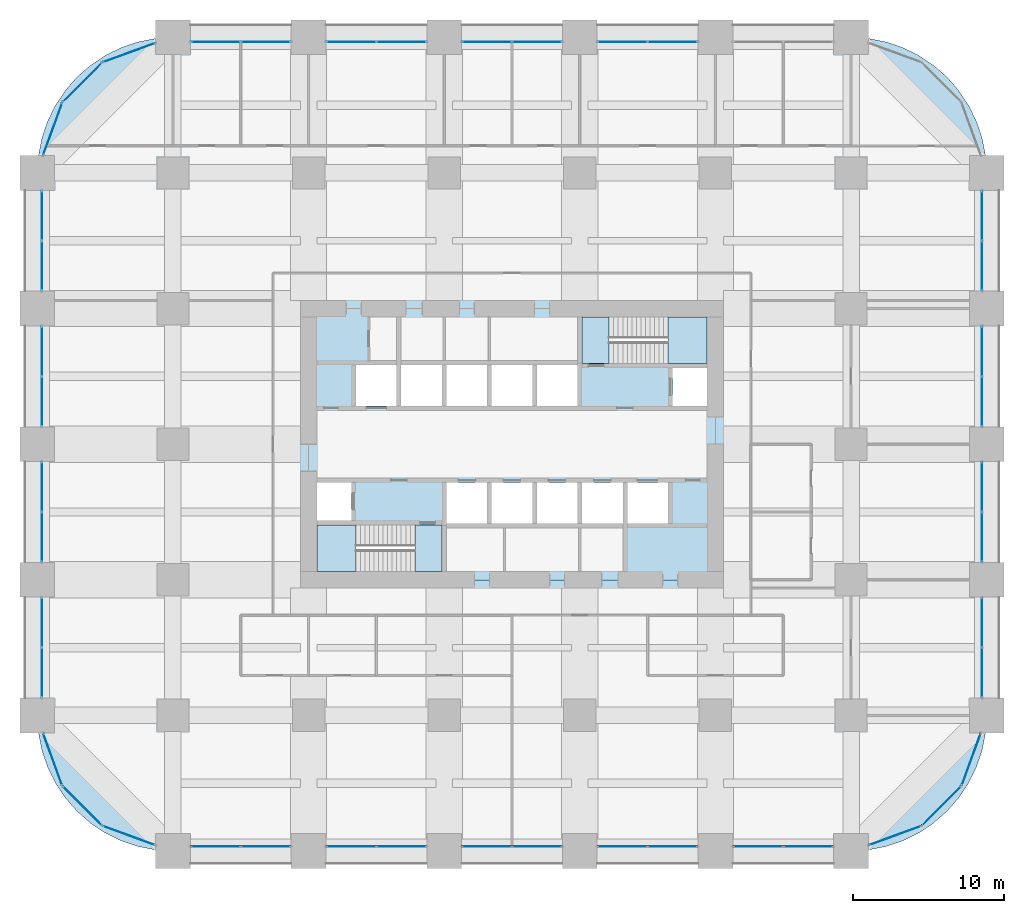
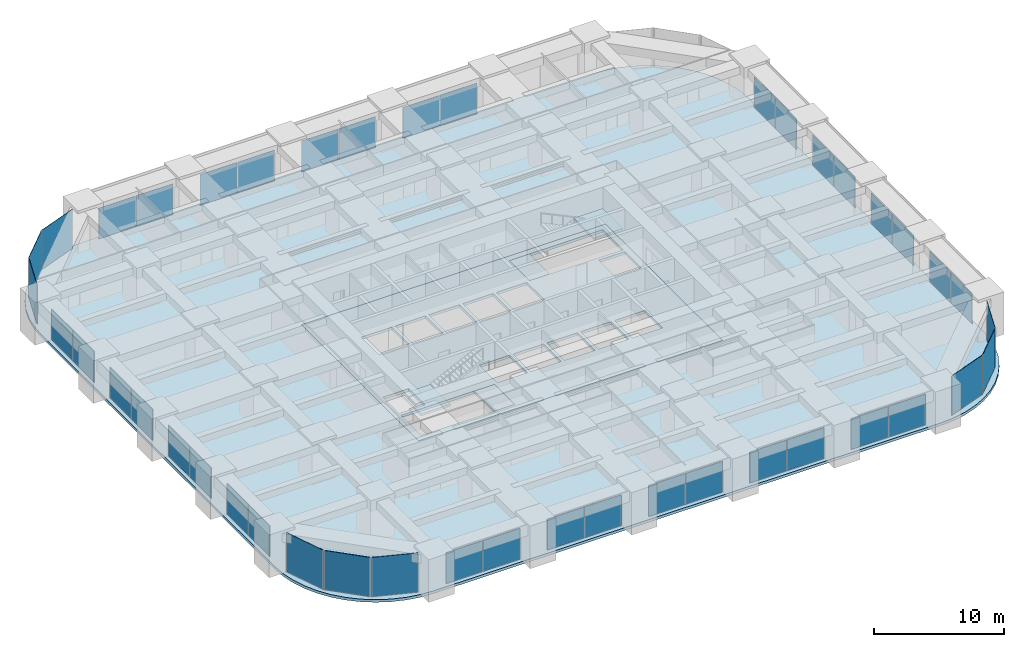
# One storey, part 38 of 43: 43 plates, 6 slabs, 28 elements without a shape of their own.
"""IFC4 building model written with IfcOpenShell, lengths in metres."""

from ifc_helpers import new_model, si_unit, direction, frame, origin, origin_2d, place, context, subcontext, project, spatial, polyline, rectangle, outline, extrude, material, layer, layer_set, type_object, element, aggregate, save


model = new_model("IFC4")

# Units and contexts
model_context = context("Model", 3, precision=1e-05, world=origin(), true_north=direction((0.0, 1.0)))
body_context = subcontext(model_context, "Body", "Model", "MODEL_VIEW")
ifc_project = project(units=[si_unit("LENGTHUNIT", "METRE"), si_unit("AREAUNIT", "SQUARE_METRE"), si_unit("VOLUMEUNIT", "CUBIC_METRE"), si_unit("PLANEANGLEUNIT", "RADIAN"), si_unit("MASSUNIT", "GRAM", prefix="KILO")], contexts=[model_context])

# Site, building, storey
site_placement = place(None, origin())
site = spatial("IfcSite", under=ifc_project, at=site_placement, CompositionType="ELEMENT")
building_placement = place(site_placement, origin())
building = spatial("IfcBuilding", under=site, at=building_placement, Name="Zorevar Civic Tower", CompositionType="ELEMENT")
storey_placement = place(building_placement, frame((0.0, 0.0, 67.800048828125)))
storey = spatial("IfcBuildingStorey", under=building, at=storey_placement, Name="L16", CompositionType="ELEMENT", Elevation=67.800048828125)

# Curtain wall, plates
ifc_material_1 = material(Name="Dark grey solar-control glass in black aluminium frame", Category="aluminium")
curtain_wall_type = type_object("IfcCurtainWallType", Name="Curtain wall CW2 low zone", PredefinedType="NOTDEFINED", material=ifc_material_1)
curtain_wall_1_placement = place(storey_placement, origin())
curtain_wall_1 = element("IfcCurtainWall", 1, at=curtain_wall_1_placement, inside=storey, type_object=curtain_wall_type, Name="CW2 L16", PredefinedType="NOTDEFINED")
ifc_material_2 = material(Name="Dark grey solar-control glass", Category="glass")
ifc_layer_1 = layer(ifc_material_2, 0.031982421875)
ifc_layer_set_1 = layer_set([ifc_layer_1], Name="CW2 panel 32")
plate_type = type_object("IfcPlateType", Name="CW2 panel 32", PredefinedType="CURTAIN_PANEL", material=ifc_layer_set_1)
plate_1_placement = place(storey_placement, frame((11.840087890625, 0.300048828125, 0.06005859375), z_axis=(0.0, 0.0, 1.0), x_axis=(1.0, 0.0, 0.0)))
plate_1 = element("IfcPlate", 2, at=plate_1_placement, type_object=plate_type, Name="CW2 panel 1.1", PredefinedType="CURTAIN_PANEL", context=body_context, shape_type="SweptSolid", body=[
    extrude(rectangle(XDim=3.260009765625, YDim=0.031982421875, at=origin_2d()), origin(), (0.0, 0.0, 1.0), 2.889892578125),
])
plate_2_placement = place(storey_placement, frame((15.159912109375, 0.300048828125, 0.06005859375), z_axis=(0.0, 0.0, 1.0), x_axis=(1.0, 0.0, 0.0)))
plate_2 = element("IfcPlate", 3, at=plate_2_placement, type_object=plate_type, Name="CW2 panel 2.1", PredefinedType="CURTAIN_PANEL", context=body_context, shape_type="SweptSolid", body=[
    extrude(rectangle(XDim=3.260009765625, YDim=0.031982421875, at=origin_2d()), origin(), (0.0, 0.0, 1.0), 2.889892578125),
])
aggregate(curtain_wall_1, [plate_1, plate_2])

curtain_wall_2_placement = place(storey_placement, origin())
curtain_wall_2 = element("IfcCurtainWall", 4, at=curtain_wall_2_placement, inside=storey, type_object=curtain_wall_type, Name="CW2 L16", PredefinedType="NOTDEFINED")
plate_3_placement = place(storey_placement, frame((11.840087890625, 53.699951171875, 0.06005859375), z_axis=(0.0, 0.0, 1.0), x_axis=(1.0, 0.0, 0.0)))
plate_3 = element("IfcPlate", 5, at=plate_3_placement, type_object=plate_type, Name="CW2 panel 1.1", PredefinedType="CURTAIN_PANEL", context=body_context, shape_type="SweptSolid", body=[
    extrude(rectangle(XDim=3.260009765625, YDim=0.031982421875, at=origin_2d()), origin(), (0.0, 0.0, 1.0), 2.889892578125),
])
plate_4_placement = place(storey_placement, frame((15.159912109375, 53.699951171875, 0.06005859375), z_axis=(0.0, 0.0, 1.0), x_axis=(1.0, 0.0, 0.0)))
plate_4 = element("IfcPlate", 6, at=plate_4_placement, type_object=plate_type, Name="CW2 panel 2.1", PredefinedType="CURTAIN_PANEL", context=body_context, shape_type="SweptSolid", body=[
    extrude(rectangle(XDim=3.260009765625, YDim=0.031982421875, at=origin_2d()), origin(), (0.0, 0.0, 1.0), 2.889892578125),
])
aggregate(curtain_wall_2, [plate_3, plate_4])

curtain_wall_3_placement = place(storey_placement, origin())
curtain_wall_3 = element("IfcCurtainWall", 7, at=curtain_wall_3_placement, inside=storey, type_object=curtain_wall_type, Name="CW2 L16", PredefinedType="NOTDEFINED")
plate_5_placement = place(storey_placement, frame((20.840087890625, 0.300048828125, 0.06005859375), z_axis=(0.0, 0.0, 1.0), x_axis=(1.0, 0.0, 0.0)))
plate_5 = element("IfcPlate", 8, at=plate_5_placement, type_object=plate_type, Name="CW2 panel 1.1", PredefinedType="CURTAIN_PANEL", context=body_context, shape_type="SweptSolid", body=[
    extrude(rectangle(XDim=3.260009765625, YDim=0.031982421875, at=origin_2d()), origin(), (0.0, 0.0, 1.0), 2.889892578125),
])
plate_6_placement = place(storey_placement, frame((24.159912109375, 0.300048828125, 0.06005859375), z_axis=(0.0, 0.0, 1.0), x_axis=(1.0, 0.0, 0.0)))
plate_6 = element("IfcPlate", 9, at=plate_6_placement, type_object=plate_type, Name="CW2 panel 2.1", PredefinedType="CURTAIN_PANEL", context=body_context, shape_type="SweptSolid", body=[
    extrude(rectangle(XDim=3.260009765625, YDim=0.031982421875, at=origin_2d()), origin(), (0.0, 0.0, 1.0), 2.889892578125),
])
aggregate(curtain_wall_3, [plate_5, plate_6])

curtain_wall_4_placement = place(storey_placement, origin())
curtain_wall_4 = element("IfcCurtainWall", 10, at=curtain_wall_4_placement, inside=storey, type_object=curtain_wall_type, Name="CW2 L16", PredefinedType="NOTDEFINED")
plate_7_placement = place(storey_placement, frame((20.840087890625, 53.699951171875, 0.06005859375), z_axis=(0.0, 0.0, 1.0), x_axis=(1.0, 0.0, 0.0)))
plate_7 = element("IfcPlate", 11, at=plate_7_placement, type_object=plate_type, Name="CW2 panel 1.1", PredefinedType="CURTAIN_PANEL", context=body_context, shape_type="SweptSolid", body=[
    extrude(rectangle(XDim=3.260009765625, YDim=0.031982421875, at=origin_2d()), origin(), (0.0, 0.0, 1.0), 2.889892578125),
])
plate_8_placement = place(storey_placement, frame((24.159912109375, 53.699951171875, 0.06005859375), z_axis=(0.0, 0.0, 1.0), x_axis=(1.0, 0.0, 0.0)))
plate_8 = element("IfcPlate", 12, at=plate_8_placement, type_object=plate_type, Name="CW2 panel 2.1", PredefinedType="CURTAIN_PANEL", context=body_context, shape_type="SweptSolid", body=[
    extrude(rectangle(XDim=3.260009765625, YDim=0.031982421875, at=origin_2d()), origin(), (0.0, 0.0, 1.0), 2.889892578125),
])
aggregate(curtain_wall_4, [plate_7, plate_8])

curtain_wall_5_placement = place(storey_placement, origin())
curtain_wall_5 = element("IfcCurtainWall", 13, at=curtain_wall_5_placement, inside=storey, type_object=curtain_wall_type, Name="CW2 L16", PredefinedType="NOTDEFINED")
plate_9_placement = place(storey_placement, frame((29.840087890625, 0.300048828125, 0.06005859375), z_axis=(0.0, 0.0, 1.0), x_axis=(1.0, 0.0, 0.0)))
plate_9 = element("IfcPlate", 14, at=plate_9_placement, type_object=plate_type, Name="CW2 panel 1.1", PredefinedType="CURTAIN_PANEL", context=body_context, shape_type="SweptSolid", body=[
    extrude(rectangle(XDim=3.260009765625, YDim=0.031982421875, at=origin_2d()), origin(), (0.0, 0.0, 1.0), 2.889892578125),
])
plate_10_placement = place(storey_placement, frame((33.159912109375, 0.300048828125, 0.06005859375), z_axis=(0.0, 0.0, 1.0), x_axis=(1.0, 0.0, 0.0)))
plate_10 = element("IfcPlate", 15, at=plate_10_placement, type_object=plate_type, Name="CW2 panel 2.1", PredefinedType="CURTAIN_PANEL", context=body_context, shape_type="SweptSolid", body=[
    extrude(rectangle(XDim=3.260009765625, YDim=0.031982421875, at=origin_2d()), origin(), (0.0, 0.0, 1.0), 2.889892578125),
])
aggregate(curtain_wall_5, [plate_9, plate_10])

curtain_wall_6_placement = place(storey_placement, origin())
curtain_wall_6 = element("IfcCurtainWall", 16, at=curtain_wall_6_placement, inside=storey, type_object=curtain_wall_type, Name="CW2 L16", PredefinedType="NOTDEFINED")
plate_11_placement = place(storey_placement, frame((29.840087890625, 53.699951171875, 0.06005859375), z_axis=(0.0, 0.0, 1.0), x_axis=(1.0, 0.0, 0.0)))
plate_11 = element("IfcPlate", 17, at=plate_11_placement, type_object=plate_type, Name="CW2 panel 1.1", PredefinedType="CURTAIN_PANEL", context=body_context, shape_type="SweptSolid", body=[
    extrude(rectangle(XDim=3.260009765625, YDim=0.031982421875, at=origin_2d()), origin(), (0.0, 0.0, 1.0), 2.889892578125),
])
plate_12_placement = place(storey_placement, frame((33.159912109375, 53.699951171875, 0.06005859375), z_axis=(0.0, 0.0, 1.0), x_axis=(1.0, 0.0, 0.0)))
plate_12 = element("IfcPlate", 18, at=plate_12_placement, type_object=plate_type, Name="CW2 panel 2.1", PredefinedType="CURTAIN_PANEL", context=body_context, shape_type="SweptSolid", body=[
    extrude(rectangle(XDim=3.260009765625, YDim=0.031982421875, at=origin_2d()), origin(), (0.0, 0.0, 1.0), 2.889892578125),
])
aggregate(curtain_wall_6, [plate_11, plate_12])

curtain_wall_7_placement = place(storey_placement, origin())
curtain_wall_7 = element("IfcCurtainWall", 19, at=curtain_wall_7_placement, inside=storey, type_object=curtain_wall_type, Name="CW2 L16", PredefinedType="NOTDEFINED")
plate_13_placement = place(storey_placement, frame((38.840087890625, 0.300048828125, 0.06005859375), z_axis=(0.0, 0.0, 1.0), x_axis=(1.0, 0.0, 0.0)))
plate_13 = element("IfcPlate", 20, at=plate_13_placement, type_object=plate_type, Name="CW2 panel 1.1", PredefinedType="CURTAIN_PANEL", context=body_context, shape_type="SweptSolid", body=[
    extrude(rectangle(XDim=3.260009765625, YDim=0.031982421875, at=origin_2d()), origin(), (0.0, 0.0, 1.0), 2.889892578125),
])
plate_14_placement = place(storey_placement, frame((42.159912109375, 0.300048828125, 0.06005859375), z_axis=(0.0, 0.0, 1.0), x_axis=(1.0, 0.0, 0.0)))
plate_14 = element("IfcPlate", 21, at=plate_14_placement, type_object=plate_type, Name="CW2 panel 2.1", PredefinedType="CURTAIN_PANEL", context=body_context, shape_type="SweptSolid", body=[
    extrude(rectangle(XDim=3.260009765625, YDim=0.031982421875, at=origin_2d()), origin(), (0.0, 0.0, 1.0), 2.889892578125),
])
aggregate(curtain_wall_7, [plate_13, plate_14])

curtain_wall_8_placement = place(storey_placement, origin())
curtain_wall_8 = element("IfcCurtainWall", 22, at=curtain_wall_8_placement, inside=storey, type_object=curtain_wall_type, Name="CW2 L16", PredefinedType="NOTDEFINED")
plate_15_placement = place(storey_placement, frame((38.840087890625, 53.699951171875, 0.06005859375), z_axis=(0.0, 0.0, 1.0), x_axis=(1.0, 0.0, 0.0)))
plate_15 = element("IfcPlate", 23, at=plate_15_placement, type_object=plate_type, Name="CW2 panel 1.1", PredefinedType="CURTAIN_PANEL", context=body_context, shape_type="SweptSolid", body=[
    extrude(rectangle(XDim=3.260009765625, YDim=0.031982421875, at=origin_2d()), origin(), (0.0, 0.0, 1.0), 2.889892578125),
])
plate_16_placement = place(storey_placement, frame((42.159912109375, 53.699951171875, 0.06005859375), z_axis=(0.0, 0.0, 1.0), x_axis=(1.0, 0.0, 0.0)))
plate_16 = element("IfcPlate", 24, at=plate_16_placement, type_object=plate_type, Name="CW2 panel 2.1", PredefinedType="CURTAIN_PANEL", context=body_context, shape_type="SweptSolid", body=[
    extrude(rectangle(XDim=3.260009765625, YDim=0.031982421875, at=origin_2d()), origin(), (0.0, 0.0, 1.0), 2.889892578125),
])
aggregate(curtain_wall_8, [plate_15, plate_16])

curtain_wall_9_placement = place(storey_placement, origin())
curtain_wall_9 = element("IfcCurtainWall", 25, at=curtain_wall_9_placement, inside=storey, type_object=curtain_wall_type, Name="CW2 L16", PredefinedType="NOTDEFINED")
plate_17_placement = place(storey_placement, frame((47.840087890625, 0.300048828125, 0.06005859375), z_axis=(0.0, 0.0, 1.0), x_axis=(1.0, 0.0, 0.0)))
plate_17 = element("IfcPlate", 26, at=plate_17_placement, type_object=plate_type, Name="CW2 panel 1.1", PredefinedType="CURTAIN_PANEL", context=body_context, shape_type="SweptSolid", body=[
    extrude(rectangle(XDim=3.260009765625, YDim=0.031982421875, at=origin_2d()), origin(), (0.0, 0.0, 1.0), 2.889892578125),
])
plate_18_placement = place(storey_placement, frame((51.159912109375, 0.300048828125, 0.06005859375), z_axis=(0.0, 0.0, 1.0), x_axis=(1.0, 0.0, 0.0)))
plate_18 = element("IfcPlate", 27, at=plate_18_placement, type_object=plate_type, Name="CW2 panel 2.1", PredefinedType="CURTAIN_PANEL", context=body_context, shape_type="SweptSolid", body=[
    extrude(rectangle(XDim=3.260009765625, YDim=0.031982421875, at=origin_2d()), origin(), (0.0, 0.0, 1.0), 2.889892578125),
])
aggregate(curtain_wall_9, [plate_17, plate_18])

curtain_wall_10_placement = place(storey_placement, origin())
curtain_wall_10 = element("IfcCurtainWall", 28, at=curtain_wall_10_placement, inside=storey, type_object=curtain_wall_type, Name="CW2 L16", PredefinedType="NOTDEFINED")
plate_19_placement = place(storey_placement, frame((0.300048828125, 11.840087890625, 0.06005859375), z_axis=(0.0, 0.0, 1.0), x_axis=(0.0, 1.0, 0.0)))
plate_19 = element("IfcPlate", 29, at=plate_19_placement, type_object=plate_type, Name="CW2 panel 1.1", PredefinedType="CURTAIN_PANEL", context=body_context, shape_type="SweptSolid", body=[
    extrude(rectangle(XDim=3.260009765625, YDim=0.031982421875, at=origin_2d()), origin(), (0.0, 0.0, 1.0), 2.889892578125),
])
plate_20_placement = place(storey_placement, frame((0.300048828125, 15.159912109375, 0.06005859375), z_axis=(0.0, 0.0, 1.0), x_axis=(0.0, 1.0, 0.0)))
plate_20 = element("IfcPlate", 30, at=plate_20_placement, type_object=plate_type, Name="CW2 panel 2.1", PredefinedType="CURTAIN_PANEL", context=body_context, shape_type="SweptSolid", body=[
    extrude(rectangle(XDim=3.260009765625, YDim=0.031982421875, at=origin_2d()), origin(), (0.0, 0.0, 1.0), 2.889892578125),
])
aggregate(curtain_wall_10, [plate_19, plate_20])

curtain_wall_11_placement = place(storey_placement, origin())
curtain_wall_11 = element("IfcCurtainWall", 31, at=curtain_wall_11_placement, inside=storey, type_object=curtain_wall_type, Name="CW2 L16", PredefinedType="NOTDEFINED")
plate_21_placement = place(storey_placement, frame((62.699951171875, 11.840087890625, 0.06005859375), z_axis=(0.0, 0.0, 1.0), x_axis=(0.0, 1.0, 0.0)))
plate_21 = element("IfcPlate", 32, at=plate_21_placement, type_object=plate_type, Name="CW2 panel 1.1", PredefinedType="CURTAIN_PANEL", context=body_context, shape_type="SweptSolid", body=[
    extrude(rectangle(XDim=3.260009765625, YDim=0.031982421875, at=origin_2d()), origin(), (0.0, 0.0, 1.0), 2.889892578125),
])
plate_22_placement = place(storey_placement, frame((62.699951171875, 15.159912109375, 0.06005859375), z_axis=(0.0, 0.0, 1.0), x_axis=(0.0, 1.0, 0.0)))
plate_22 = element("IfcPlate", 33, at=plate_22_placement, type_object=plate_type, Name="CW2 panel 2.1", PredefinedType="CURTAIN_PANEL", context=body_context, shape_type="SweptSolid", body=[
    extrude(rectangle(XDim=3.260009765625, YDim=0.031982421875, at=origin_2d()), origin(), (0.0, 0.0, 1.0), 2.889892578125),
])
aggregate(curtain_wall_11, [plate_21, plate_22])

curtain_wall_12_placement = place(storey_placement, origin())
curtain_wall_12 = element("IfcCurtainWall", 34, at=curtain_wall_12_placement, inside=storey, type_object=curtain_wall_type, Name="CW2 L16", PredefinedType="NOTDEFINED")
plate_23_placement = place(storey_placement, frame((0.300048828125, 20.840087890625, 0.06005859375), z_axis=(0.0, 0.0, 1.0), x_axis=(0.0, 1.0, 0.0)))
plate_23 = element("IfcPlate", 35, at=plate_23_placement, type_object=plate_type, Name="CW2 panel 1.1", PredefinedType="CURTAIN_PANEL", context=body_context, shape_type="SweptSolid", body=[
    extrude(rectangle(XDim=3.260009765625, YDim=0.031982421875, at=origin_2d()), origin(), (0.0, 0.0, 1.0), 2.889892578125),
])
plate_24_placement = place(storey_placement, frame((0.300048828125, 24.159912109375, 0.06005859375), z_axis=(0.0, 0.0, 1.0), x_axis=(0.0, 1.0, 0.0)))
plate_24 = element("IfcPlate", 36, at=plate_24_placement, type_object=plate_type, Name="CW2 panel 2.1", PredefinedType="CURTAIN_PANEL", context=body_context, shape_type="SweptSolid", body=[
    extrude(rectangle(XDim=3.260009765625, YDim=0.031982421875, at=origin_2d()), origin(), (0.0, 0.0, 1.0), 2.889892578125),
])
aggregate(curtain_wall_12, [plate_23, plate_24])

curtain_wall_13_placement = place(storey_placement, origin())
curtain_wall_13 = element("IfcCurtainWall", 37, at=curtain_wall_13_placement, inside=storey, type_object=curtain_wall_type, Name="CW2 L16", PredefinedType="NOTDEFINED")
plate_25_placement = place(storey_placement, frame((62.699951171875, 20.840087890625, 0.06005859375), z_axis=(0.0, 0.0, 1.0), x_axis=(0.0, 1.0, 0.0)))
plate_25 = element("IfcPlate", 38, at=plate_25_placement, type_object=plate_type, Name="CW2 panel 1.1", PredefinedType="CURTAIN_PANEL", context=body_context, shape_type="SweptSolid", body=[
    extrude(rectangle(XDim=3.260009765625, YDim=0.031982421875, at=origin_2d()), origin(), (0.0, 0.0, 1.0), 2.889892578125),
])
plate_26_placement = place(storey_placement, frame((62.699951171875, 24.159912109375, 0.06005859375), z_axis=(0.0, 0.0, 1.0), x_axis=(0.0, 1.0, 0.0)))
plate_26 = element("IfcPlate", 39, at=plate_26_placement, type_object=plate_type, Name="CW2 panel 2.1", PredefinedType="CURTAIN_PANEL", context=body_context, shape_type="SweptSolid", body=[
    extrude(rectangle(XDim=3.260009765625, YDim=0.031982421875, at=origin_2d()), origin(), (0.0, 0.0, 1.0), 2.889892578125),
])
aggregate(curtain_wall_13, [plate_25, plate_26])

curtain_wall_14_placement = place(storey_placement, origin())
curtain_wall_14 = element("IfcCurtainWall", 40, at=curtain_wall_14_placement, inside=storey, type_object=curtain_wall_type, Name="CW2 L16", PredefinedType="NOTDEFINED")
plate_27_placement = place(storey_placement, frame((0.300048828125, 29.840087890625, 0.06005859375), z_axis=(0.0, 0.0, 1.0), x_axis=(0.0, 1.0, 0.0)))
plate_27 = element("IfcPlate", 41, at=plate_27_placement, type_object=plate_type, Name="CW2 panel 1.1", PredefinedType="CURTAIN_PANEL", context=body_context, shape_type="SweptSolid", body=[
    extrude(rectangle(XDim=3.260009765625, YDim=0.031982421875, at=origin_2d()), origin(), (0.0, 0.0, 1.0), 2.889892578125),
])
plate_28_placement = place(storey_placement, frame((0.300048828125, 33.159912109375, 0.06005859375), z_axis=(0.0, 0.0, 1.0), x_axis=(0.0, 1.0, 0.0)))
plate_28 = element("IfcPlate", 42, at=plate_28_placement, type_object=plate_type, Name="CW2 panel 2.1", PredefinedType="CURTAIN_PANEL", context=body_context, shape_type="SweptSolid", body=[
    extrude(rectangle(XDim=3.260009765625, YDim=0.031982421875, at=origin_2d()), origin(), (0.0, 0.0, 1.0), 2.889892578125),
])
aggregate(curtain_wall_14, [plate_27, plate_28])

curtain_wall_15_placement = place(storey_placement, origin())
curtain_wall_15 = element("IfcCurtainWall", 43, at=curtain_wall_15_placement, inside=storey, type_object=curtain_wall_type, Name="CW2 L16", PredefinedType="NOTDEFINED")
plate_29_placement = place(storey_placement, frame((62.699951171875, 29.840087890625, 0.06005859375), z_axis=(0.0, 0.0, 1.0), x_axis=(0.0, 1.0, 0.0)))
plate_29 = element("IfcPlate", 44, at=plate_29_placement, type_object=plate_type, Name="CW2 panel 1.1", PredefinedType="CURTAIN_PANEL", context=body_context, shape_type="SweptSolid", body=[
    extrude(rectangle(XDim=3.260009765625, YDim=0.031982421875, at=origin_2d()), origin(), (0.0, 0.0, 1.0), 2.889892578125),
])
plate_30_placement = place(storey_placement, frame((62.699951171875, 33.159912109375, 0.06005859375), z_axis=(0.0, 0.0, 1.0), x_axis=(0.0, 1.0, 0.0)))
plate_30 = element("IfcPlate", 45, at=plate_30_placement, type_object=plate_type, Name="CW2 panel 2.1", PredefinedType="CURTAIN_PANEL", context=body_context, shape_type="SweptSolid", body=[
    extrude(rectangle(XDim=3.260009765625, YDim=0.031982421875, at=origin_2d()), origin(), (0.0, 0.0, 1.0), 2.889892578125),
])
aggregate(curtain_wall_15, [plate_29, plate_30])

curtain_wall_16_placement = place(storey_placement, origin())
curtain_wall_16 = element("IfcCurtainWall", 46, at=curtain_wall_16_placement, inside=storey, type_object=curtain_wall_type, Name="CW2 L16", PredefinedType="NOTDEFINED")
plate_31_placement = place(storey_placement, frame((0.300048828125, 38.840087890625, 0.06005859375), z_axis=(0.0, 0.0, 1.0), x_axis=(0.0, 1.0, 0.0)))
plate_31 = element("IfcPlate", 47, at=plate_31_placement, type_object=plate_type, Name="CW2 panel 1.1", PredefinedType="CURTAIN_PANEL", context=body_context, shape_type="SweptSolid", body=[
    extrude(rectangle(XDim=3.260009765625, YDim=0.031982421875, at=origin_2d()), origin(), (0.0, 0.0, 1.0), 2.889892578125),
])
plate_32_placement = place(storey_placement, frame((0.300048828125, 42.159912109375, 0.06005859375), z_axis=(0.0, 0.0, 1.0), x_axis=(0.0, 1.0, 0.0)))
plate_32 = element("IfcPlate", 48, at=plate_32_placement, type_object=plate_type, Name="CW2 panel 2.1", PredefinedType="CURTAIN_PANEL", context=body_context, shape_type="SweptSolid", body=[
    extrude(rectangle(XDim=3.260009765625, YDim=0.031982421875, at=origin_2d()), origin(), (0.0, 0.0, 1.0), 2.889892578125),
])
aggregate(curtain_wall_16, [plate_31, plate_32])

curtain_wall_17_placement = place(storey_placement, origin())
curtain_wall_17 = element("IfcCurtainWall", 49, at=curtain_wall_17_placement, inside=storey, type_object=curtain_wall_type, Name="CW2 L16", PredefinedType="NOTDEFINED")
plate_33_placement = place(storey_placement, frame((62.699951171875, 38.840087890625, 0.06005859375), z_axis=(0.0, 0.0, 1.0), x_axis=(0.0, 1.0, 0.0)))
plate_33 = element("IfcPlate", 50, at=plate_33_placement, type_object=plate_type, Name="CW2 panel 1.1", PredefinedType="CURTAIN_PANEL", context=body_context, shape_type="SweptSolid", body=[
    extrude(rectangle(XDim=3.260009765625, YDim=0.031982421875, at=origin_2d()), origin(), (0.0, 0.0, 1.0), 2.889892578125),
])
plate_34_placement = place(storey_placement, frame((62.699951171875, 42.159912109375, 0.06005859375), z_axis=(0.0, 0.0, 1.0), x_axis=(0.0, 1.0, 0.0)))
plate_34 = element("IfcPlate", 51, at=plate_34_placement, type_object=plate_type, Name="CW2 panel 2.1", PredefinedType="CURTAIN_PANEL", context=body_context, shape_type="SweptSolid", body=[
    extrude(rectangle(XDim=3.260009765625, YDim=0.031982421875, at=origin_2d()), origin(), (0.0, 0.0, 1.0), 2.889892578125),
])
aggregate(curtain_wall_17, [plate_33, plate_34])

# Curtain wall, plate
curtain_wall_18_placement = place(storey_placement, origin())
curtain_wall_18 = element("IfcCurtainWall", 52, at=curtain_wall_18_placement, inside=storey, type_object=curtain_wall_type, Name="CW2 L16", PredefinedType="NOTDEFINED")
plate_35_placement = place(storey_placement, frame((56.914306640625, 1.020751953125, 0.06005859375), z_axis=(0.0, 0.0, 1.0), x_axis=(0.939313345732, 0.343060400701, 0.0)))
plate_35 = element("IfcPlate", 53, at=plate_35_placement, type_object=plate_type, Name="CW2 panel 1.1", PredefinedType="CURTAIN_PANEL", context=body_context, shape_type="SweptSolid", body=[
    extrude(rectangle(XDim=3.636474609375, YDim=0.031982421875, at=origin_2d()), origin(), (0.0, 0.0, 1.0), 3.68994140625),
])
aggregate(curtain_wall_18, [plate_35])

curtain_wall_19_placement = place(storey_placement, origin())
curtain_wall_19 = element("IfcCurtainWall", 54, at=curtain_wall_19_placement, inside=storey, type_object=curtain_wall_type, Name="CW2 L16", PredefinedType="NOTDEFINED")
plate_36_placement = place(storey_placement, frame((60.0068359375, 2.9931640625, 0.06005859375), z_axis=(0.0, 0.0, 1.0), x_axis=(0.707106781187, 0.707106781187, 0.0)))
plate_36 = element("IfcPlate", 55, at=plate_36_placement, type_object=plate_type, Name="CW2 panel 1.1", PredefinedType="CURTAIN_PANEL", context=body_context, shape_type="SweptSolid", body=[
    extrude(rectangle(XDim=3.636474609375, YDim=0.031982421875, at=origin_2d()), origin(), (0.0, 0.0, 1.0), 3.68994140625),
])
aggregate(curtain_wall_19, [plate_36])

curtain_wall_20_placement = place(storey_placement, origin())
curtain_wall_20 = element("IfcCurtainWall", 56, at=curtain_wall_20_placement, inside=storey, type_object=curtain_wall_type, Name="CW2 L16", PredefinedType="NOTDEFINED")
plate_37_placement = place(storey_placement, frame((61.979248046875, 6.085693359375, 0.06005859375), z_axis=(0.0, 0.0, 1.0), x_axis=(0.343060400701, 0.939313345732, 0.0)))
plate_37 = element("IfcPlate", 57, at=plate_37_placement, type_object=plate_type, Name="CW2 panel 1.1", PredefinedType="CURTAIN_PANEL", context=body_context, shape_type="SweptSolid", body=[
    extrude(rectangle(XDim=3.636474609375, YDim=0.031982421875, at=origin_2d()), origin(), (0.0, 0.0, 1.0), 3.68994140625),
])
aggregate(curtain_wall_20, [plate_37])

curtain_wall_21_placement = place(storey_placement, origin())
curtain_wall_21 = element("IfcCurtainWall", 58, at=curtain_wall_21_placement, inside=storey, type_object=curtain_wall_type, Name="CW2 L16", PredefinedType="NOTDEFINED")
plate_38_placement = place(storey_placement, frame((6.085693359375, 52.979248046875, 0.06005859375), z_axis=(0.0, 0.0, 1.0), x_axis=(-0.939313345732, -0.343060400701, 0.0)))
plate_38 = element("IfcPlate", 59, at=plate_38_placement, type_object=plate_type, Name="CW2 panel 1.1", PredefinedType="CURTAIN_PANEL", context=body_context, shape_type="SweptSolid", body=[
    extrude(rectangle(XDim=3.636474609375, YDim=0.031982421875, at=origin_2d()), origin(), (0.0, 0.0, 1.0), 3.68994140625),
])
aggregate(curtain_wall_21, [plate_38])

curtain_wall_22_placement = place(storey_placement, origin())
curtain_wall_22 = element("IfcCurtainWall", 60, at=curtain_wall_22_placement, inside=storey, type_object=curtain_wall_type, Name="CW2 L16", PredefinedType="NOTDEFINED")
plate_39_placement = place(storey_placement, frame((2.9931640625, 51.0068359375, 0.06005859375), z_axis=(0.0, 0.0, 1.0), x_axis=(-0.707106781187, -0.707106781187, 0.0)))
plate_39 = element("IfcPlate", 61, at=plate_39_placement, type_object=plate_type, Name="CW2 panel 1.1", PredefinedType="CURTAIN_PANEL", context=body_context, shape_type="SweptSolid", body=[
    extrude(rectangle(XDim=3.636474609375, YDim=0.031982421875, at=origin_2d()), origin(), (0.0, 0.0, 1.0), 3.68994140625),
])
aggregate(curtain_wall_22, [plate_39])

curtain_wall_23_placement = place(storey_placement, origin())
curtain_wall_23 = element("IfcCurtainWall", 62, at=curtain_wall_23_placement, inside=storey, type_object=curtain_wall_type, Name="CW2 L16", PredefinedType="NOTDEFINED")
plate_40_placement = place(storey_placement, frame((1.020751953125, 47.914306640625, 0.06005859375), z_axis=(0.0, 0.0, 1.0), x_axis=(-0.343060400701, -0.939313345732, 0.0)))
plate_40 = element("IfcPlate", 63, at=plate_40_placement, type_object=plate_type, Name="CW2 panel 1.1", PredefinedType="CURTAIN_PANEL", context=body_context, shape_type="SweptSolid", body=[
    extrude(rectangle(XDim=3.636474609375, YDim=0.031982421875, at=origin_2d()), origin(), (0.0, 0.0, 1.0), 3.68994140625),
])
aggregate(curtain_wall_23, [plate_40])

curtain_wall_24_placement = place(storey_placement, origin())
curtain_wall_24 = element("IfcCurtainWall", 64, at=curtain_wall_24_placement, inside=storey, type_object=curtain_wall_type, Name="CW2 L16", PredefinedType="NOTDEFINED")
plate_41_placement = place(storey_placement, frame((1.020751953125, 6.085693359375, 0.06005859375), z_axis=(0.0, 0.0, 1.0), x_axis=(0.343060400701, -0.939313345732, 0.0)))
plate_41 = element("IfcPlate", 65, at=plate_41_placement, type_object=plate_type, Name="CW2 panel 1.1", PredefinedType="CURTAIN_PANEL", context=body_context, shape_type="SweptSolid", body=[
    extrude(rectangle(XDim=3.636474609375, YDim=0.031982421875, at=origin_2d()), origin(), (0.0, 0.0, 1.0), 3.68994140625),
])
aggregate(curtain_wall_24, [plate_41])

curtain_wall_25_placement = place(storey_placement, origin())
curtain_wall_25 = element("IfcCurtainWall", 66, at=curtain_wall_25_placement, inside=storey, type_object=curtain_wall_type, Name="CW2 L16", PredefinedType="NOTDEFINED")
plate_42_placement = place(storey_placement, frame((2.9931640625, 2.9931640625, 0.06005859375), z_axis=(0.0, 0.0, 1.0), x_axis=(0.707106781187, -0.707106781187, 0.0)))
plate_42 = element("IfcPlate", 67, at=plate_42_placement, type_object=plate_type, Name="CW2 panel 1.1", PredefinedType="CURTAIN_PANEL", context=body_context, shape_type="SweptSolid", body=[
    extrude(rectangle(XDim=3.636474609375, YDim=0.031982421875, at=origin_2d()), origin(), (0.0, 0.0, 1.0), 3.68994140625),
])
aggregate(curtain_wall_25, [plate_42])

curtain_wall_26_placement = place(storey_placement, origin())
curtain_wall_26 = element("IfcCurtainWall", 68, at=curtain_wall_26_placement, inside=storey, type_object=curtain_wall_type, Name="CW2 L16", PredefinedType="NOTDEFINED")
plate_43_placement = place(storey_placement, frame((6.085693359375, 1.020751953125, 0.06005859375), z_axis=(0.0, 0.0, 1.0), x_axis=(0.939313345732, -0.343060400701, 0.0)))
plate_43 = element("IfcPlate", 69, at=plate_43_placement, type_object=plate_type, Name="CW2 panel 1.1", PredefinedType="CURTAIN_PANEL", context=body_context, shape_type="SweptSolid", body=[
    extrude(rectangle(XDim=3.636474609375, YDim=0.031982421875, at=origin_2d()), origin(), (0.0, 0.0, 1.0), 3.68994140625),
])
aggregate(curtain_wall_26, [plate_43])

# Slabs
ifc_material_3 = material(Name="Concrete C40/50", Category="concrete")
ifc_layer_2 = layer(ifc_material_3, 0.25)
ifc_layer_set_2 = layer_set([ifc_layer_2], Name="Floor slab 250")
slab_type_1 = type_object("IfcSlabType", Name="Floor slab 250", PredefinedType="FLOOR", material=ifc_layer_set_2)
slab_1_placement = place(storey_placement, frame((0.0, 0.0, -0.25)))
element("IfcSlab", 70, at=slab_1_placement, inside=storey, type_object=slab_type_1, Name="Floor slab L16", PredefinedType="FLOOR", context=body_context, shape_type="SweptSolid", body=[
    extrude(outline(polyline([(54.0, 0.0), (55.1748046875, 0.076904296875), (56.329345703125, 0.306640625), (57.444091796875, 0.68505859375), (58.5, 1.205810546875), (59.478759765625, 1.85986328125), (60.364013671875, 2.635986328125), (61.14013671875, 3.521240234375), (61.794189453125, 4.5), (62.31494140625, 5.555908203125), (62.693359375, 6.670654296875), (62.923095703125, 7.8251953125), (63.0, 9.0), (63.0, 45.0), (62.923095703125, 46.1748046875), (62.693359375, 47.329345703125), (62.31494140625, 48.444091796875), (61.794189453125, 49.5), (61.14013671875, 50.478759765625), (60.364013671875, 51.364013671875), (59.478759765625, 52.14013671875), (58.5, 52.794189453125), (57.444091796875, 53.31494140625), (56.329345703125, 53.693359375), (55.1748046875, 53.923095703125), (54.0, 54.0), (9.0, 54.0), (7.8251953125, 53.923095703125), (6.670654296875, 53.693359375), (5.555908203125, 53.31494140625), (4.5, 52.794189453125), (3.521240234375, 52.14013671875), (2.635986328125, 51.364013671875), (1.85986328125, 50.478759765625), (1.205810546875, 49.5), (0.68505859375, 48.444091796875), (0.306640625, 47.329345703125), (0.076904296875, 46.1748046875), (0.0, 45.0), (0.0, 9.0), (0.076904296875, 7.8251953125), (0.306640625, 6.670654296875), (0.68505859375, 5.555908203125), (1.205810546875, 4.5), (1.85986328125, 3.521240234375), (2.635986328125, 2.635986328125), (3.521240234375, 1.85986328125), (4.5, 1.205810546875), (5.555908203125, 0.68505859375), (6.670654296875, 0.306640625), (7.8251953125, 0.076904296875), (9.0, 0.0), (54.0, 0.0)]), holes=[polyline([(18.0, 18.0), (45.0, 18.0), (45.0, 36.0), (18.0, 36.0), (18.0, 18.0)])]), origin(), (0.0, 0.0, 1.0), 0.25),
])
slab_2_placement = place(storey_placement, frame((0.0, 0.0, -0.25)))
element("IfcSlab", 71, at=slab_2_placement, inside=storey, type_object=slab_type_1, Name="Core floor L16", PredefinedType="FLOOR", context=body_context, shape_type="SweptSolid", body=[
    extrude(outline(polyline([(18.0, 18.0), (45.0, 18.0), (45.0, 36.0), (18.0, 36.0), (18.0, 18.0)]), holes=[polyline([(18.550048828125, 18.550048828125), (26.85009765625, 18.550048828125), (26.85009765625, 21.64990234375), (18.550048828125, 21.64990234375), (18.550048828125, 18.550048828125)]), polyline([(36.14990234375, 32.35009765625), (44.449951171875, 32.35009765625), (44.449951171875, 35.449951171875), (36.14990234375, 35.449951171875), (36.14990234375, 32.35009765625)]), polyline([(18.550048828125, 21.949951171875), (20.85009765625, 21.949951171875), (20.85009765625, 24.449951171875), (18.550048828125, 24.449951171875), (18.550048828125, 21.949951171875)]), polyline([(42.14990234375, 29.550048828125), (44.449951171875, 29.550048828125), (44.449951171875, 32.050048828125), (42.14990234375, 32.050048828125), (42.14990234375, 29.550048828125)]), polyline([(27.14990234375, 21.75), (29.85009765625, 21.75), (29.85009765625, 24.449951171875), (27.14990234375, 24.449951171875), (27.14990234375, 21.75)]), polyline([(33.14990234375, 29.550048828125), (35.85009765625, 29.550048828125), (35.85009765625, 32.25), (33.14990234375, 32.25), (33.14990234375, 29.550048828125)]), polyline([(30.14990234375, 21.75), (32.85009765625, 21.75), (32.85009765625, 24.449951171875), (30.14990234375, 24.449951171875), (30.14990234375, 21.75)]), polyline([(30.14990234375, 29.550048828125), (32.85009765625, 29.550048828125), (32.85009765625, 32.25), (30.14990234375, 32.25), (30.14990234375, 29.550048828125)]), polyline([(33.14990234375, 21.75), (35.85009765625, 21.75), (35.85009765625, 24.449951171875), (33.14990234375, 24.449951171875), (33.14990234375, 21.75)]), polyline([(27.14990234375, 29.550048828125), (29.85009765625, 29.550048828125), (29.85009765625, 32.25), (27.14990234375, 32.25), (27.14990234375, 29.550048828125)]), polyline([(36.14990234375, 21.75), (38.85009765625, 21.75), (38.85009765625, 24.449951171875), (36.14990234375, 24.449951171875), (36.14990234375, 21.75)]), polyline([(24.14990234375, 29.550048828125), (26.85009765625, 29.550048828125), (26.85009765625, 32.25), (24.14990234375, 32.25), (24.14990234375, 29.550048828125)]), polyline([(39.14990234375, 21.75), (41.85009765625, 21.75), (41.85009765625, 24.449951171875), (39.14990234375, 24.449951171875), (39.14990234375, 21.75)]), polyline([(21.14990234375, 29.550048828125), (23.85009765625, 29.550048828125), (23.85009765625, 32.25), (21.14990234375, 32.25), (21.14990234375, 29.550048828125)])]), origin(), (0.0, 0.0, 1.0), 0.25),
])

# Stair, slabs
ifc_material_4 = material(Name="Precast concrete C40/50", Category="concrete")
stair_type = type_object("IfcStairType", Name="Stair ST 28R", PredefinedType="HALF_TURN_STAIR", material=ifc_material_4)
stair_1_placement = place(storey_placement, origin())
stair_1 = element("IfcStair", 72, at=stair_1_placement, inside=storey, type_object=stair_type, Name="Stair ST1 L16", PredefinedType="HALF_TURN_STAIR")
ifc_material_5 = material(Name="Concrete C40/50", Category="concrete")
ifc_layer_3 = layer(ifc_material_5, 0.199951171875)
ifc_layer_set_3 = layer_set([ifc_layer_3], Name="Stair landing 200")
slab_type_2 = type_object("IfcSlabType", Name="Stair landing 200", PredefinedType="LANDING", material=ifc_layer_set_3)
slab_3_placement = place(storey_placement, frame((0.0, 0.0, -0.199951171875)))
slab_3 = element("IfcSlab", 73, at=slab_3_placement, type_object=slab_type_2, Name="ST1 landing 1", PredefinedType="LANDING", context=body_context, shape_type="SweptSolid", body=[
    extrude(outline(polyline([(25.050048828125, 18.550048828125), (26.85009765625, 18.550048828125), (26.85009765625, 21.64990234375), (25.050048828125, 21.64990234375), (25.050048828125, 18.550048828125)])), origin(), (0.0, 0.0, 1.0), 0.199951171875),
])
slab_4_placement = place(storey_placement, frame((0.0, 0.0, 1.800048828125)))
slab_4 = element("IfcSlab", 74, at=slab_4_placement, type_object=slab_type_2, Name="ST1 landing 2", PredefinedType="LANDING", context=body_context, shape_type="SweptSolid", body=[
    extrude(outline(polyline([(18.550048828125, 18.550048828125), (21.14990234375, 18.550048828125), (21.14990234375, 21.64990234375), (18.550048828125, 21.64990234375), (18.550048828125, 18.550048828125)])), origin(), (0.0, 0.0, 1.0), 0.199951171875),
])
aggregate(stair_1, [slab_3, slab_4])

stair_2_placement = place(storey_placement, origin())
stair_2 = element("IfcStair", 75, at=stair_2_placement, inside=storey, type_object=stair_type, Name="Stair ST2 L16", PredefinedType="HALF_TURN_STAIR")
slab_5_placement = place(storey_placement, frame((0.0, 0.0, -0.199951171875)))
slab_5 = element("IfcSlab", 76, at=slab_5_placement, type_object=slab_type_2, Name="ST2 landing 1", PredefinedType="LANDING", context=body_context, shape_type="SweptSolid", body=[
    extrude(outline(polyline([(37.949951171875, 32.35009765625), (36.14990234375, 32.35009765625), (36.14990234375, 35.449951171875), (37.949951171875, 35.449951171875), (37.949951171875, 32.35009765625)])), origin(), (0.0, 0.0, 1.0), 0.199951171875),
])
slab_6_placement = place(storey_placement, frame((0.0, 0.0, 1.800048828125)))
slab_6 = element("IfcSlab", 77, at=slab_6_placement, type_object=slab_type_2, Name="ST2 landing 2", PredefinedType="LANDING", context=body_context, shape_type="SweptSolid", body=[
    extrude(outline(polyline([(44.449951171875, 32.35009765625), (41.85009765625, 32.35009765625), (41.85009765625, 35.449951171875), (44.449951171875, 35.449951171875), (44.449951171875, 32.35009765625)])), origin(), (0.0, 0.0, 1.0), 0.199951171875),
])
aggregate(stair_2, [slab_5, slab_6])

save(model, "model.ifc")
